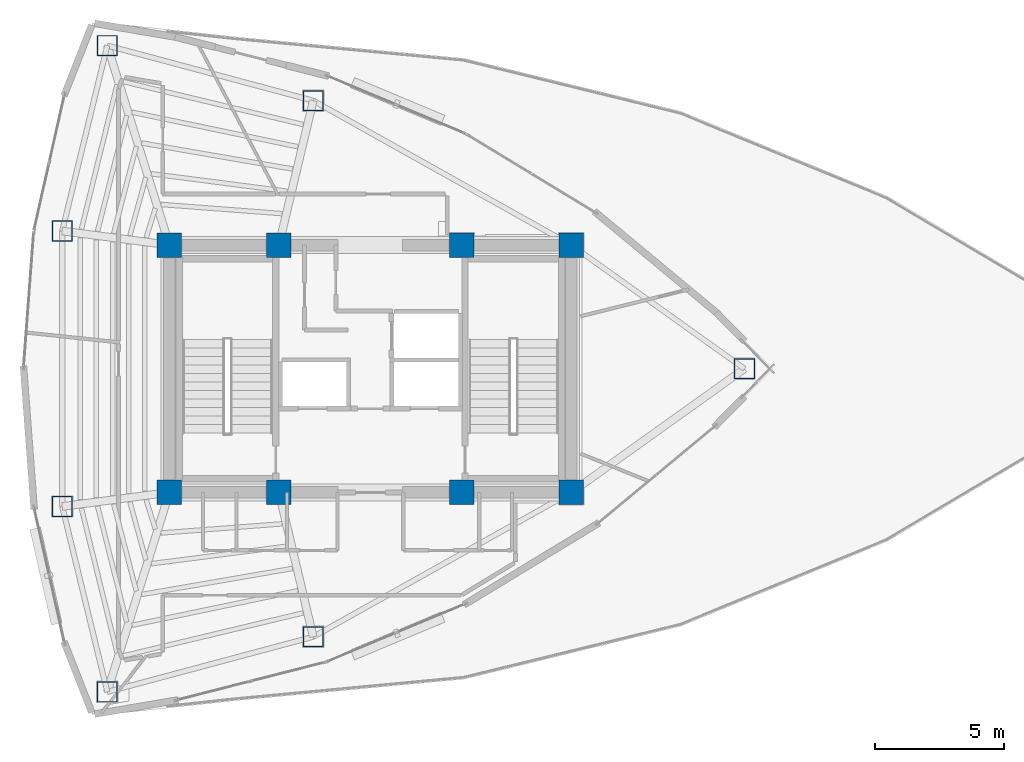
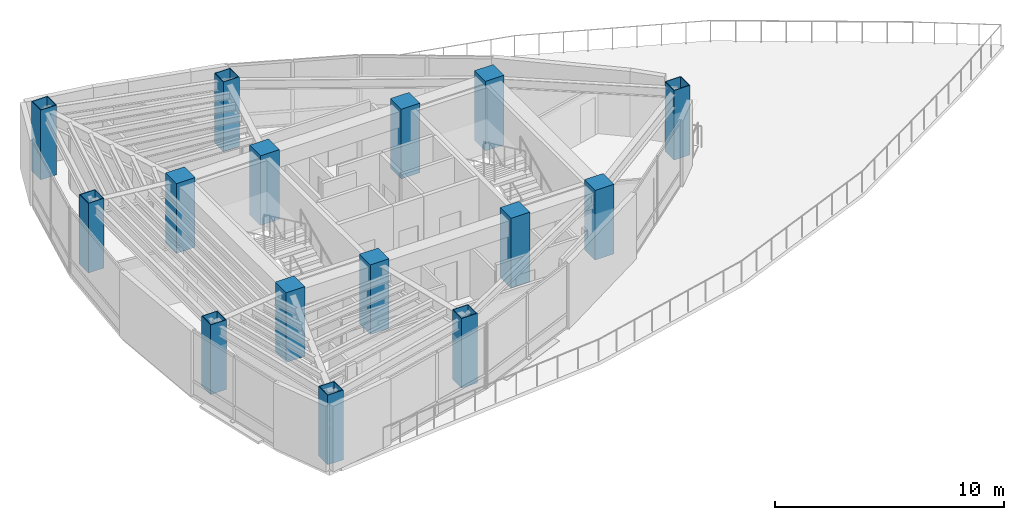
# One storey, part 1 of 16: 15 columns.
"""IFC4 building model written with IfcOpenShell, lengths in metres."""

from ifc_helpers import new_model, si_unit, direction, frame, origin, origin_2d, place, context, subcontext, project, spatial, rectangle, hollow_rectangle, extrude, material, material_profile, profile_set, type_object, element, save


model = new_model("IFC4")

# Units and contexts
model_context = context("Model", 3, precision=1e-05, world=origin(), true_north=direction((0.0, 1.0)))
body_context = subcontext(model_context, "Body", "Model", "MODEL_VIEW")
ifc_project = project(units=[si_unit("LENGTHUNIT", "METRE"), si_unit("AREAUNIT", "SQUARE_METRE"), si_unit("VOLUMEUNIT", "CUBIC_METRE"), si_unit("PLANEANGLEUNIT", "RADIAN"), si_unit("MASSUNIT", "GRAM", prefix="KILO")], contexts=[model_context])

# Site, building, storey
site_placement = place(None, origin())
site = spatial("IfcSite", under=ifc_project, at=site_placement, CompositionType="ELEMENT")
building_placement = place(site_placement, origin())
building = spatial("IfcBuilding", under=site, at=building_placement, Name="Menara Vayukalpa", CompositionType="ELEMENT")
storey_placement = place(building_placement, frame((0.0, 0.0, 247.139892578125)))
storey = spatial("IfcBuildingStorey", under=building, at=storey_placement, Name="L62", CompositionType="ELEMENT", Elevation=247.139892578125)

# Columns
ifc_material_1 = material(Name="Concrete C60/75", Category="concrete")
ifc_material_profile_1 = material_profile(ifc_material_1, rectangle(XDim=0.949951171875, YDim=0.949951171875, at=origin_2d()), Name="RC 950x950")
ifc_profile_set_1 = profile_set([ifc_material_profile_1], Name="Concrete C60/75")
column_type_1 = type_object("IfcColumnType", Name="COL-CC2", PredefinedType="COLUMN", material=ifc_profile_set_1)
for number, where, z_axis, x_axis, name in (
    (1, (17.800048828125, 17.199951171875, 0.0), (0.0, 0.0, 1.0), (1.0, 0.0, 0.0), "L62 Core Pilaster Column CC1"),
    (2, (22.050048828125, 17.199951171875, 0.0), (0.0, 0.0, 1.0), (1.0, 0.0, 0.0), "L62 Core Pilaster Column CC2"),
    (3, (29.14990234375, 17.199951171875, 0.0), (0.0, 0.0, 1.0), (1.0, 0.0, 0.0), "L62 Core Pilaster Column CC3"),
    (4, (33.39990234375, 17.199951171875, 0.0), (0.0, 0.0, 1.0), (1.0, 0.0, 0.0), "L62 Core Pilaster Column CC4"),
    (5, (17.800048828125, 26.800048828125, 0.0), (0.0, 0.0, 1.0), (1.0, 0.0, 0.0), "L62 Core Pilaster Column CC5"),
    (6, (22.050048828125, 26.800048828125, 0.0), (0.0, 0.0, 1.0), (1.0, 0.0, 0.0), "L62 Core Pilaster Column CC6"),
    (7, (29.14990234375, 26.800048828125, 0.0), (0.0, 0.0, 1.0), (1.0, 0.0, 0.0), "L62 Core Pilaster Column CC7"),
    (8, (33.39990234375, 26.800048828125, 0.0), (0.0, 0.0, 1.0), (1.0, 0.0, 0.0), "L62 Core Pilaster Column CC8"),
):
    element("IfcColumn", number, at=place(storey_placement, frame(where, z_axis=z_axis, x_axis=x_axis)), inside=storey, type_object=column_type_1, Name=name, PredefinedType="COLUMN", context=body_context, shape_type="SweptSolid", body=[
        extrude(rectangle(XDim=0.949951171875, YDim=0.949951171875, at=origin_2d()), origin(), (0.0, 0.0, 1.0), 3.72021484375),
    ])
ifc_material_2 = material(Name="Steel S355", Category="steel")
ifc_material_profile_2 = material_profile(ifc_material_2, hollow_rectangle(XDim=0.800048828125, YDim=0.800048828125, WallThickness=0.034912109375, at=origin_2d()), Name="BOX 800x800x35")
ifc_profile_set_2 = profile_set([ifc_material_profile_2], Name="Steel S355")
column_type_2 = type_object("IfcColumnType", Name="COL-MC5", PredefinedType="COLUMN", material=ifc_profile_set_2)
for number, where, z_axis, x_axis, name in (
    (9, (40.121826171875, 22.0, 0.0), (0.0, 0.0, 1.0), (1.0, 0.0, 0.0), "L62 Perimeter Mega Column P01"),
    (10, (23.3818359375, 32.40478515625, 0.0), (0.0, 0.0, 1.0), (1.0, 0.0, 0.0), "L62 Perimeter Mega Column P03"),
    (11, (15.38916015625, 34.544677734375, 0.0), (0.0, 0.0, 1.0), (1.0, 0.0, 0.0), "L62 Perimeter Mega Column P04"),
    (12, (13.638916015625, 27.3466796875, 0.0), (0.0, 0.0, 1.0), (1.0, 0.0, 0.0), "L62 Perimeter Mega Column P05"),
    (13, (13.638916015625, 16.6533203125, 0.0), (0.0, 0.0, 1.0), (1.0, 0.0, 0.0), "L62 Perimeter Mega Column P06"),
    (14, (15.38916015625, 9.455322265625, 0.0), (0.0, 0.0, 1.0), (1.0, 0.0, 0.0), "L62 Perimeter Mega Column P07"),
    (15, (23.3818359375, 11.59521484375, 0.0), (0.0, 0.0, 1.0), (1.0, 0.0, 0.0), "L62 Perimeter Mega Column P08"),
):
    element("IfcColumn", number, at=place(storey_placement, frame(where, z_axis=z_axis, x_axis=x_axis)), inside=storey, type_object=column_type_2, Name=name, PredefinedType="COLUMN", context=body_context, shape_type="SweptSolid", body=[
        extrude(hollow_rectangle(XDim=0.800048828125, YDim=0.800048828125, WallThickness=0.034912109375, at=origin_2d()), origin(), (0.0, 0.0, 1.0), 3.72021484375),
    ])

save(model, "model.ifc")
